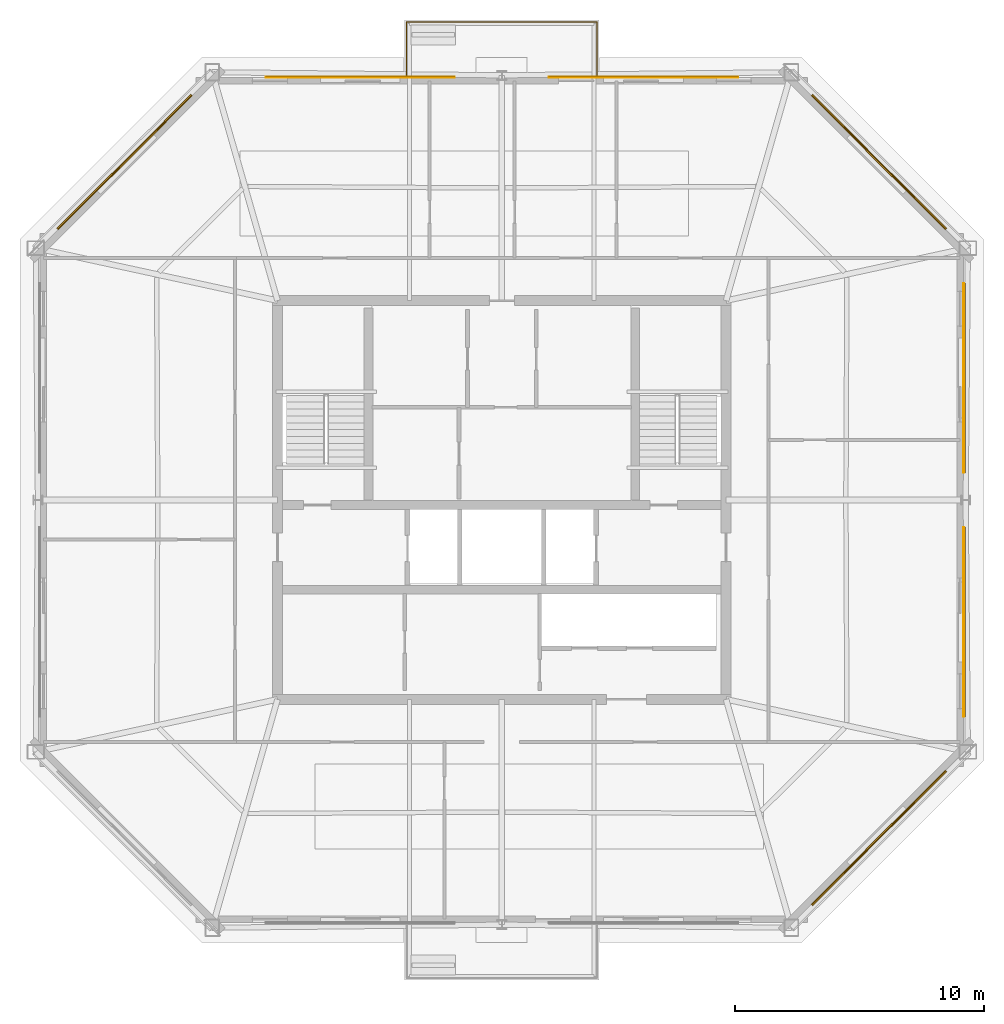
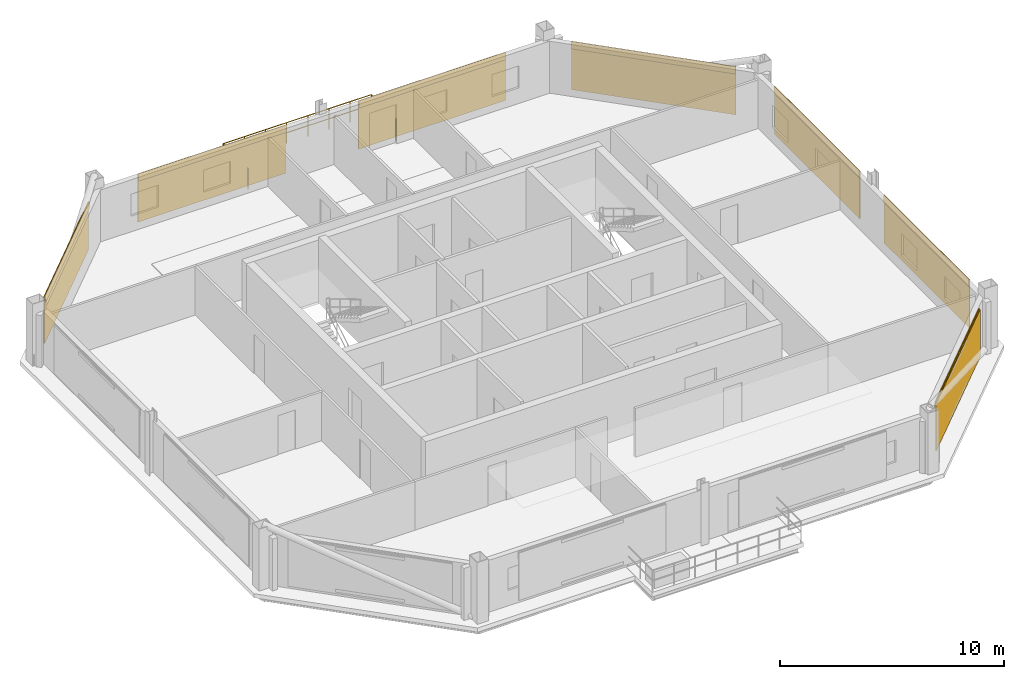
# One storey, part 7 of 7: 7 coverings, 7 shading devices, 1 railing.
"""IFC4 building model written with IfcOpenShell, lengths in metres."""

from ifc_helpers import new_model, si_unit, direction, frame, origin, origin_2d, place, context, subcontext, project, spatial, rectangle, circle, extrude, material, layer, layer_set, type_object, element, save


model = new_model("IFC4")

# Units and contexts
model_context = context("Model", 3, precision=1e-05, world=origin(), true_north=direction((0.0, 1.0)))
body_context = subcontext(model_context, "Body", "Model", "MODEL_VIEW")
ifc_project = project(units=[si_unit("LENGTHUNIT", "METRE"), si_unit("AREAUNIT", "SQUARE_METRE"), si_unit("VOLUMEUNIT", "CUBIC_METRE"), si_unit("PLANEANGLEUNIT", "RADIAN"), si_unit("MASSUNIT", "GRAM", prefix="KILO")], contexts=[model_context])

# Site, building, storey
site_placement = place(None, origin())
site = spatial("IfcSite", under=ifc_project, at=site_placement, CompositionType="ELEMENT")
building_placement = place(site_placement, origin())
building = spatial("IfcBuilding", under=site, at=building_placement, Name="Caelvoria Tower", CompositionType="ELEMENT")
storey_placement = place(building_placement, frame((0.0, 0.0, 253.800048828125)))
storey = spatial("IfcBuildingStorey", under=building, at=storey_placement, Name="L67", CompositionType="ELEMENT", Elevation=253.800048828125)

# Railing
ifc_material_1 = material(Name="Bronze Anodised Aluminium and Stainless Steel", Category="steel")
railing_type = type_object("IfcRailingType", Name="Exterior Terrace and Balcony Guardrail 1150", PredefinedType="GUARDRAIL", material=ifc_material_1)
railing_placement = place(storey_placement, frame((42.179931640625, 48.963623046875, 0.0)))
element("IfcRailing", 1, at=railing_placement, inside=storey, type_object=railing_type, Name="Tree Balcony Guardrail TB-L67-N", PredefinedType="GUARDRAIL", context=body_context, shape_type="SweptSolid", body=[
    extrude(circle(Radius=0.02392578125, at=origin_2d()), frame((0.0, 0.0, 1.1259765625), z_axis=(0.0, 1.0, 0.0), x_axis=(-1.0, 0.0, 0.0)), (0.0, 0.0, 1.0), 2.219970703125),
    extrude(circle(Radius=0.02392578125, at=origin_2d()), frame((0.0, 0.0, 0.574951171875), z_axis=(0.0, 1.0, 0.0), x_axis=(-1.0, 0.0, 0.0)), (0.0, 0.0, 1.0), 2.219970703125),
    extrude(circle(Radius=0.02392578125, at=origin_2d()), frame((0.0, 2.219970703125, 1.1259765625), z_axis=(1.0, 0.0, 0.0), x_axis=(0.0, 1.0, 0.0)), (0.0, 0.0, 1.0), 7.64013671875),
    extrude(circle(Radius=0.02392578125, at=origin_2d()), frame((0.0, 2.219970703125, 0.574951171875), z_axis=(1.0, 0.0, 0.0), x_axis=(0.0, 1.0, 0.0)), (0.0, 0.0, 1.0), 7.64013671875),
    extrude(circle(Radius=0.02392578125, at=origin_2d()), frame((7.64013671875, 2.219970703125, 1.1259765625), z_axis=(0.0, -1.0, 0.0), x_axis=(1.0, 0.0, 0.0)), (0.0, 0.0, 1.0), 2.219970703125),
    extrude(circle(Radius=0.02392578125, at=origin_2d()), frame((7.64013671875, 2.219970703125, 0.574951171875), z_axis=(0.0, -1.0, 0.0), x_axis=(1.0, 0.0, 0.0)), (0.0, 0.0, 1.0), 2.219970703125),
    extrude(circle(Radius=0.02099609375, at=origin_2d()), origin(), (0.0, 0.0, 1.0), 1.101806640625),
    extrude(circle(Radius=0.02099609375, at=origin_2d()), frame((0.0, 1.10986328125, 0.0)), (0.0, 0.0, 1.0), 1.101806640625),
    extrude(circle(Radius=0.02099609375, at=origin_2d()), frame((0.0, 2.219970703125, 0.0)), (0.0, 0.0, 1.0), 1.101806640625),
    extrude(circle(Radius=0.02099609375, at=origin_2d()), frame((1.091552734375, 2.219970703125, 0.0)), (0.0, 0.0, 1.0), 1.101806640625),
    extrude(circle(Radius=0.02099609375, at=origin_2d()), frame((2.182861328125, 2.219970703125, 0.0)), (0.0, 0.0, 1.0), 1.101806640625),
    extrude(circle(Radius=0.02099609375, at=origin_2d()), frame((3.2744140625, 2.219970703125, 0.0)), (0.0, 0.0, 1.0), 1.101806640625),
    extrude(circle(Radius=0.02099609375, at=origin_2d()), frame((4.36572265625, 2.219970703125, 0.0)), (0.0, 0.0, 1.0), 1.101806640625),
    extrude(circle(Radius=0.02099609375, at=origin_2d()), frame((5.457275390625, 2.219970703125, 0.0)), (0.0, 0.0, 1.0), 1.101806640625),
    extrude(circle(Radius=0.02099609375, at=origin_2d()), frame((6.548583984375, 2.219970703125, 0.0)), (0.0, 0.0, 1.0), 1.101806640625),
    extrude(circle(Radius=0.02099609375, at=origin_2d()), frame((7.64013671875, 2.219970703125, 0.0)), (0.0, 0.0, 1.0), 1.101806640625),
    extrude(circle(Radius=0.02099609375, at=origin_2d()), frame((7.64013671875, 1.10986328125, 0.0)), (0.0, 0.0, 1.0), 1.101806640625),
    extrude(circle(Radius=0.02099609375, at=origin_2d()), frame((7.64013671875, 0.0, 0.0)), (0.0, 0.0, 1.0), 1.101806640625),
])

# Coverings
ifc_material_2 = material(Name="Perforated Architectural Bronze Cladding Screen", Category="bronze")
ifc_layer_1 = layer(ifc_material_2, 0.0400390625, Name="Perforated Architectural Bronze Cladding Screen")
ifc_layer_set_1 = layer_set([ifc_layer_1], Name="Perforated Bronze Louvre Cladding Band 40 - Perforated Architectural Bronze Cladding Screen")
covering_type = type_object("IfcCoveringType", Name="Perforated Bronze Louvre Cladding Band 40", PredefinedType="CLADDING", material=ifc_layer_set_1)
for number, where, z_axis, x_axis, name in (
    (2, (61.119384765625, 18.45361328125, 2.412109375), (0.0, 0.0, 1.0), (0.707106781187, 0.707106781187, 0.0), "Perforated Bronze Screen Band L67-E1-00"),
    (3, (64.541015625, 27.102783203125, 2.412109375), (0.0, 0.0, 1.0), (0.0, 1.0, 0.0), "Perforated Bronze Screen Band L67-E2-00"),
    (4, (64.541015625, 36.897216796875, 2.412109375), (0.0, 0.0, 1.0), (0.0, 1.0, 0.0), "Perforated Bronze Screen Band L67-E2-01"),
    (5, (61.119384765625, 45.54638671875, 2.412109375), (0.0, 0.0, 1.0), (-0.707106781187, 0.707106781187, 0.0), "Perforated Bronze Screen Band L67-E3-00"),
    (6, (51.68359375, 48.968017578125, 2.412109375), (0.0, 0.0, 1.0), (-1.0, 0.0, 0.0), "Perforated Bronze Screen Band L67-E4-00"),
    (7, (40.31640625, 48.968017578125, 2.412109375), (0.0, 0.0, 1.0), (-1.0, 0.0, 0.0), "Perforated Bronze Screen Band L67-E4-01"),
    (8, (30.880615234375, 45.54638671875, 2.412109375), (0.0, 0.0, 1.0), (-0.707106781187, -0.707106781187, 0.0), "Perforated Bronze Screen Band L67-E5-00"),
):
    element("IfcCovering", number, at=place(storey_placement, frame(where, z_axis=z_axis, x_axis=x_axis)), inside=storey, type_object=covering_type, Name=name, PredefinedType="CLADDING", context=body_context, shape_type="SweptSolid", body=[
        extrude(rectangle(XDim=7.60009765625, YDim=0.0400390625, at=origin_2d()), origin(), (0.0, 0.0, 1.0), 0.39990234375),
    ])

# Shading devices
ifc_material_3 = material(Name="Perforated Architectural Bronze Alloy Panel", Category="bronze")
ifc_layer_2 = layer(ifc_material_3, 0.044921875, Name="Perforated Architectural Bronze Alloy Panel")
ifc_layer_set_2 = layer_set([ifc_layer_2], Name="Perforated Bronze Solar Screen Panel SCREEN - Perforated Architectural Bronze Alloy Panel")
shading_device_type = type_object("IfcShadingDeviceType", Name="Perforated Bronze Solar Screen Panel SCREEN", PredefinedType="USERDEFINED", material=ifc_layer_set_2)
for number, where, z_axis, x_axis, name in (
    (9, (61.149658203125, 18.423095703125, 0.16015625), (0.0, 0.0, 1.0), (0.707106781187, 0.707106781187, 0.0), "Perforated Bronze Solar Screen L67-E1-00"),
    (10, (64.583984375, 27.102783203125, 0.16015625), (0.0, 0.0, 1.0), (0.0, 1.0, 0.0), "Perforated Bronze Solar Screen L67-E2-00"),
    (11, (64.583984375, 36.897216796875, 0.16015625), (0.0, 0.0, 1.0), (0.0, 1.0, 0.0), "Perforated Bronze Solar Screen L67-E2-01"),
    (12, (61.149658203125, 45.576904296875, 0.16015625), (0.0, 0.0, 1.0), (-0.707106781187, 0.707106781187, 0.0), "Perforated Bronze Solar Screen L67-E3-00"),
    (13, (51.68359375, 49.010986328125, 0.16015625), (0.0, 0.0, 1.0), (-1.0, 0.0, 0.0), "Perforated Bronze Solar Screen L67-E4-00"),
    (14, (40.31640625, 49.010986328125, 0.16015625), (0.0, 0.0, 1.0), (-1.0, 0.0, 0.0), "Perforated Bronze Solar Screen L67-E4-01"),
    (15, (30.850341796875, 45.576904296875, 0.16015625), (0.0, 0.0, 1.0), (-0.707106781187, -0.707106781187, 0.0), "Perforated Bronze Solar Screen L67-E5-00"),
):
    element("IfcShadingDevice", number, at=place(storey_placement, frame(where, z_axis=z_axis, x_axis=x_axis)), inside=storey, type_object=shading_device_type, Name=name, ObjectType="SCREEN", PredefinedType="USERDEFINED", context=body_context, shape_type="SweptSolid", body=[
        extrude(rectangle(XDim=7.60009765625, YDim=0.044921875, at=origin_2d()), origin(), (0.0, 0.0, 1.0), 2.592041015625),
    ])

save(model, "model.ifc")
